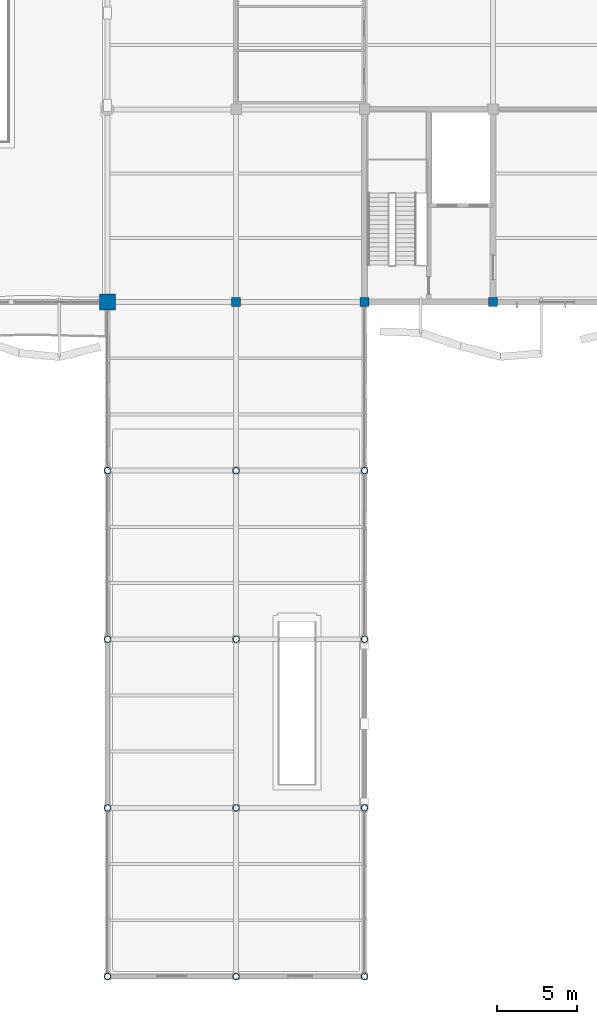
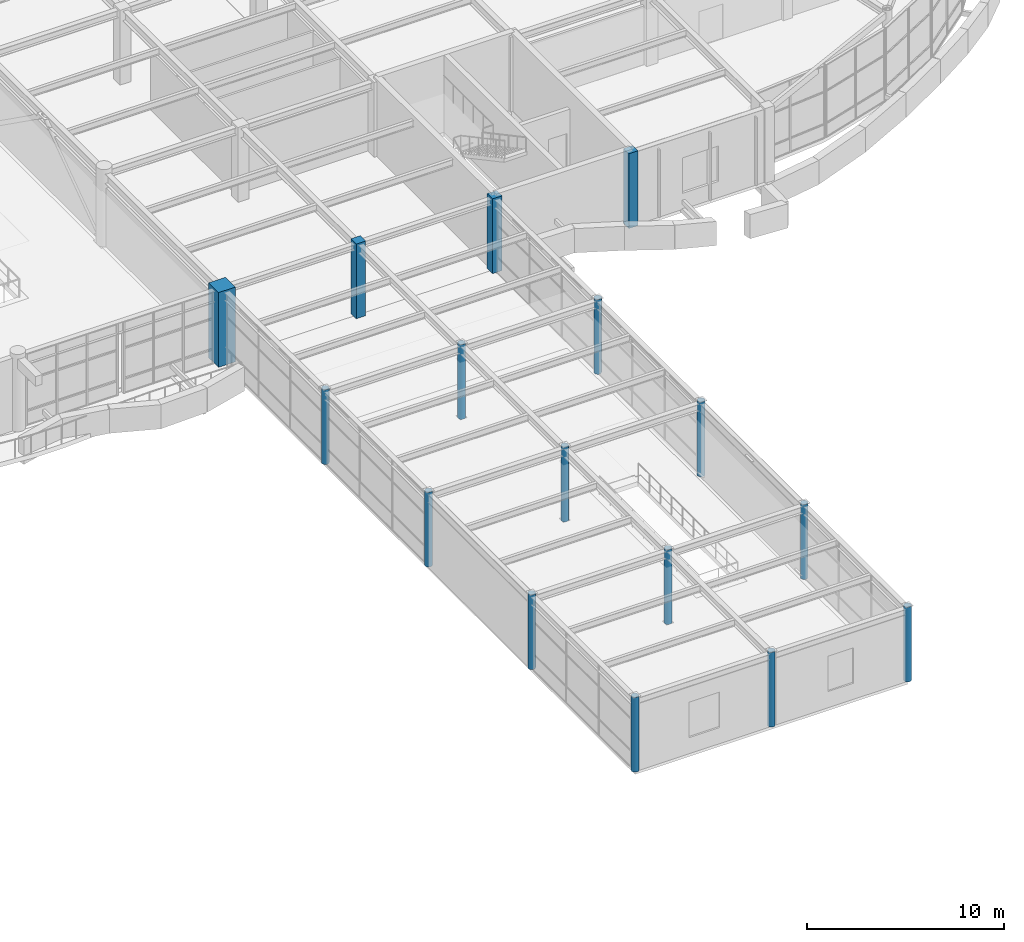
# One storey, part 6 of 72: 16 columns.
"""IFC4 building model written with IfcOpenShell, lengths in metres."""

from ifc_helpers import new_model, si_unit, direction, frame, origin, origin_2d, place, context, subcontext, project, spatial, rectangle, hollow_circle, extrude, material, material_profile, profile_set, type_object, element, save


model = new_model("IFC4")

# Units and contexts
model_context = context("Model", 3, precision=1e-05, world=origin(), true_north=direction((0.0, 1.0)))
body_context = subcontext(model_context, "Body", "Model", "MODEL_VIEW")
ifc_project = project(units=[si_unit("LENGTHUNIT", "METRE"), si_unit("AREAUNIT", "SQUARE_METRE"), si_unit("VOLUMEUNIT", "CUBIC_METRE"), si_unit("PLANEANGLEUNIT", "RADIAN"), si_unit("MASSUNIT", "GRAM", prefix="KILO")], contexts=[model_context])

# Site, building, storey
site_placement = place(None, origin())
site = spatial("IfcSite", under=ifc_project, at=site_placement, CompositionType="ELEMENT")
building_placement = place(site_placement, origin())
building = spatial("IfcBuilding", under=site, at=building_placement, Name="Keelwater Ferry Terminal", CompositionType="ELEMENT")
storey_placement = place(building_placement, frame((0.0, 0.0, 5.39990234375)))
storey = spatial("IfcBuildingStorey", under=building, at=storey_placement, Name="L01", CompositionType="ELEMENT", Elevation=5.39990234375)

# Columns
ifc_material_1 = material(Name="Concrete C45/55", Category="concrete")
ifc_material_profile_1 = material_profile(ifc_material_1, rectangle(XDim=0.550048828125, YDim=0.550048828125, at=origin_2d()), Name="RC 550x550")
ifc_profile_set_1 = profile_set([ifc_material_profile_1], Name="Concrete C45/55")
column_type_1 = type_object("IfcColumnType", Name="C4 RC 550x550", PredefinedType="COLUMN", material=ifc_profile_set_1)
for number, where, z_axis, x_axis, name in (
    (1, (140.0, 42.0, 0.0), (0.0, 0.0, 1.0), (1.0, 0.0, 0.0), "Column CL-L01-0292"),
    (2, (148.0, 42.0, 0.0), (0.0, 0.0, 1.0), (1.0, 0.0, 0.0), "Column CL-L01-0339"),
    (3, (156.0, 42.0, 0.0), (0.0, 0.0, 1.0), (1.0, 0.0, 0.0), "Column CL-L01-0378"),
):
    element("IfcColumn", number, at=place(storey_placement, frame(where, z_axis=z_axis, x_axis=x_axis)), inside=storey, type_object=column_type_1, Name=name, PredefinedType="COLUMN", context=body_context, shape_type="SweptSolid", body=[
        extrude(rectangle(XDim=0.550048828125, YDim=0.550048828125, at=origin_2d()), origin(), (0.0, 0.0, 1.0), 4.64013671875),
    ])
ifc_material_2 = material(Name="Steel S355", Category="steel")
ifc_material_profile_2 = material_profile(ifc_material_2, hollow_circle(Radius=0.203125, WallThickness=0.01611328125, at=origin_2d()), Name="CHS 406.4x16")
ifc_profile_set_2 = profile_set([ifc_material_profile_2], Name="Steel S355")
column_type_2 = type_object("IfcColumnType", Name="C9E CHS 406.4x16", PredefinedType="COLUMN", material=ifc_profile_set_2)
for number, where, z_axis, x_axis, name in (
    (4, (132.0, 0.0, 0.0), (0.0, 0.0, 1.0), (1.0, 0.0, 0.0), "Column CL-L01-0232"),
    (5, (132.0, 10.5, 0.0), (0.0, 0.0, 1.0), (1.0, 0.0, 0.0), "Column CL-L01-0234"),
    (6, (132.0, 21.0, 0.0), (0.0, 0.0, 1.0), (1.0, 0.0, 0.0), "Column CL-L01-0236"),
    (7, (132.0, 31.5, 0.0), (0.0, 0.0, 1.0), (1.0, 0.0, 0.0), "Column CL-L01-0238"),
    (8, (140.0, 0.0, 0.0), (0.0, 0.0, 1.0), (1.0, 0.0, 0.0), "Column CL-L01-0284"),
    (9, (140.0, 10.5, 0.0), (0.0, 0.0, 1.0), (1.0, 0.0, 0.0), "Column CL-L01-0286"),
    (10, (140.0, 21.0, 0.0), (0.0, 0.0, 1.0), (1.0, 0.0, 0.0), "Column CL-L01-0288"),
    (11, (140.0, 31.5, 0.0), (0.0, 0.0, 1.0), (1.0, 0.0, 0.0), "Column CL-L01-0290"),
    (12, (148.0, 0.0, 0.0), (0.0, 0.0, 1.0), (1.0, 0.0, 0.0), "Column CL-L01-0331"),
    (13, (148.0, 10.5, 0.0), (0.0, 0.0, 1.0), (1.0, 0.0, 0.0), "Column CL-L01-0333"),
    (14, (148.0, 21.0, 0.0), (0.0, 0.0, 1.0), (1.0, 0.0, 0.0), "Column CL-L01-0335"),
    (15, (148.0, 31.5, 0.0), (0.0, 0.0, 1.0), (1.0, 0.0, 0.0), "Column CL-L01-0337"),
):
    element("IfcColumn", number, at=place(storey_placement, frame(where, z_axis=z_axis, x_axis=x_axis)), inside=storey, type_object=column_type_2, Name=name, PredefinedType="COLUMN", context=body_context, shape_type="SweptSolid", body=[
        extrude(hollow_circle(Radius=0.203125, WallThickness=0.01611328125, at=origin_2d()), origin(), (0.0, 0.0, 1.0), 4.64013671875),
    ])
ifc_material_3 = material(Name="Concrete C50/60", Category="concrete")
ifc_material_profile_3 = material_profile(ifc_material_3, rectangle(XDim=1.0, YDim=1.0, at=origin_2d()), Name="RC 1000x1000")
ifc_profile_set_3 = profile_set([ifc_material_profile_3], Name="Concrete C50/60")
column_type_3 = type_object("IfcColumnType", Name="MC1 RC 1000x1000", PredefinedType="COLUMN", material=ifc_profile_set_3)
column_placement = place(storey_placement, frame((132.0, 42.0, 0.0), z_axis=(0.0, 0.0, 1.0), x_axis=(1.0, 0.0, 0.0)))
element("IfcColumn", 16, at=column_placement, inside=storey, type_object=column_type_3, Name="Column CL-L01-0240", PredefinedType="COLUMN", context=body_context, shape_type="SweptSolid", body=[
    extrude(rectangle(XDim=1.0, YDim=1.0, at=origin_2d()), origin(), (0.0, 0.0, 1.0), 4.64013671875),
])

save(model, "model.ifc")
